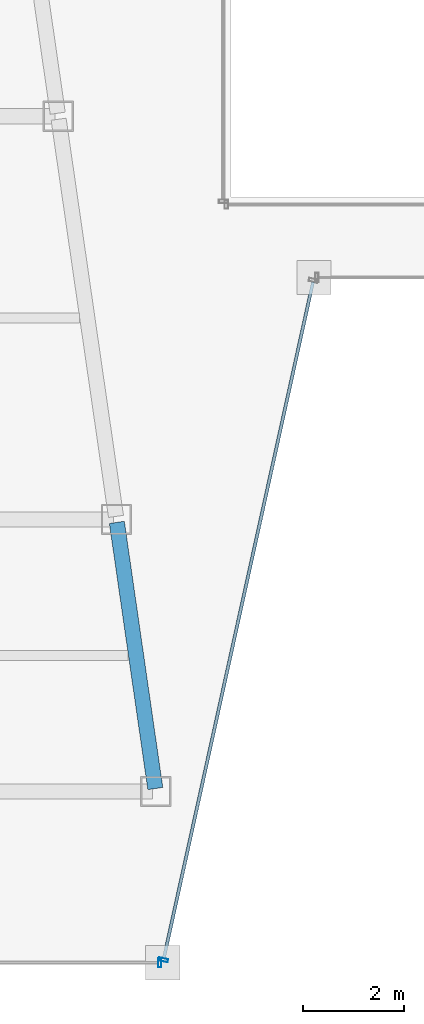
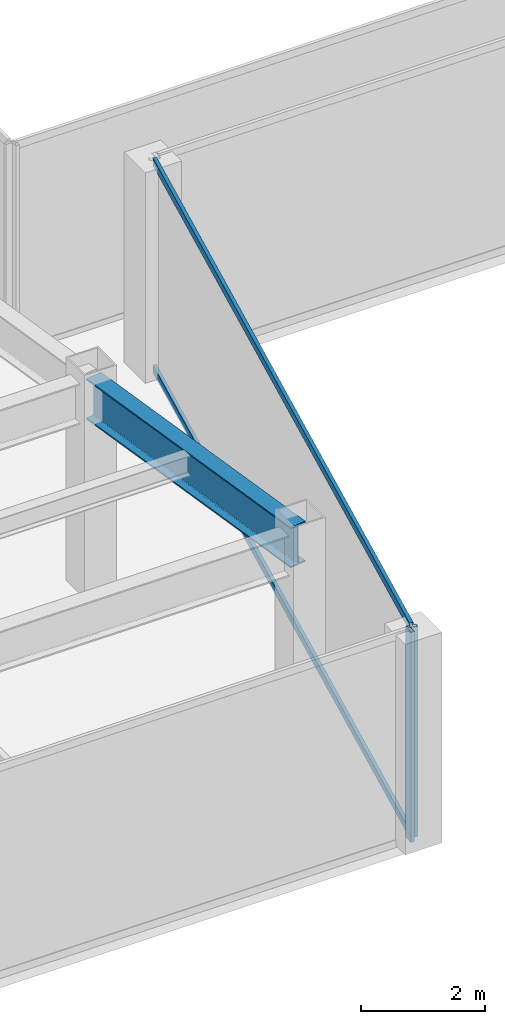
# One storey, part 5 of 37: 4 members, 1 beam, 2 elements without a shape of their own.
"""IFC4 building model written with IfcOpenShell, lengths in metres."""

from ifc_helpers import new_model, si_unit, direction, frame, origin, origin_2d, place, context, subcontext, project, spatial, hollow_rectangle, i_section, extrude, material, material_profile, profile_set, type_object, element, aggregate, save


model = new_model("IFC4")

# Units and contexts
model_context = context("Model", 3, precision=1e-05, world=origin(), true_north=direction((0.0, 1.0)))
body_context = subcontext(model_context, "Body", "Model", "MODEL_VIEW")
ifc_project = project(units=[si_unit("LENGTHUNIT", "METRE"), si_unit("AREAUNIT", "SQUARE_METRE"), si_unit("VOLUMEUNIT", "CUBIC_METRE"), si_unit("PLANEANGLEUNIT", "RADIAN"), si_unit("MASSUNIT", "GRAM", prefix="KILO")], contexts=[model_context])

# Site, building, storey
site_placement = place(None, origin())
site = spatial("IfcSite", under=ifc_project, at=site_placement, CompositionType="ELEMENT")
building_placement = place(site_placement, origin())
building = spatial("IfcBuilding", under=site, at=building_placement, Name="Saevonmaru Cultural Tower", CompositionType="ELEMENT")
storey_placement = place(building_placement, frame((0.0, 0.0, 110.39990234375)))
storey = spatial("IfcBuildingStorey", under=building, at=storey_placement, Name="L23", CompositionType="ELEMENT", Elevation=110.39990234375)

# Beam
ifc_material_1 = material(Name="Steel SM420", Category="steel")
ifc_material_profile_1 = material_profile(ifc_material_1, i_section(OverallWidth=0.300048828125, OverallDepth=0.800048828125, WebThickness=0.013916015625, FlangeThickness=0.02587890625, FilletRadius=0.028076171875, at=origin_2d()), Name="H-800x300x14x26")
ifc_profile_set_1 = profile_set([ifc_material_profile_1], Name="Steel SM420")
beam_type = type_object("IfcBeamType", Name="BM-G-H800", PredefinedType="BEAM", material=ifc_profile_set_1)
beam_placement = place(storey_placement, frame((22.699462890625, 10.659423828125, 3.75), z_axis=(-0.142977693794, 0.989725911087, 0.0), x_axis=(-0.989725911087, -0.142977693794, 0.0)))
element("IfcBeam", 1, at=beam_placement, inside=storey, type_object=beam_type, Name="L23 West Atrium Girder 1", PredefinedType="BEAM", context=body_context, shape_type="SweptSolid", body=[
    extrude(i_section(OverallWidth=0.300048828125, OverallDepth=0.800048828125, WebThickness=0.013916015625, FlangeThickness=0.02587890625, FilletRadius=0.028076171875, at=origin_2d()), origin(), (0.0, 0.0, 1.0), 5.336181640625),
])

# Curtain wall, member
ifc_material_2 = material(Name="Satin Bronze Anodised Aluminium", Category="aluminium")
curtain_wall_type = type_object("IfcCurtainWallType", Name="CW-TYP-A", PredefinedType="NOTDEFINED", material=ifc_material_2)
curtain_wall_1_placement = place(storey_placement, origin())
curtain_wall_1 = element("IfcCurtainWall", 2, at=curtain_wall_1_placement, inside=storey, type_object=curtain_wall_type, Name="L23 Unitised Curtain Wall E2", PredefinedType="NOTDEFINED")
ifc_material_profile_2 = material_profile(ifc_material_2, hollow_rectangle(XDim=0.06494140625, YDim=0.179931640625, WallThickness=0.00390625, at=origin_2d()), Name="ALU-MULL-180x65x4")
ifc_profile_set_2 = profile_set([ifc_material_profile_2], Name="Satin Bronze Anodised Aluminium")
member_type_1 = type_object("IfcMemberType", Name="ML-CW-180x65", PredefinedType="MULLION", material=ifc_profile_set_2)
member_1_placement = place(storey_placement, frame((22.788818359375, 7.199951171875, 0.0), z_axis=(0.0, 0.0, 1.0), x_axis=(1.0, 0.0, 0.0)))
member_1 = element("IfcMember", 3, at=member_1_placement, type_object=member_type_1, Name="CW-TW-L23-E2 mullion 2", PredefinedType="MULLION", context=body_context, shape_type="SweptSolid", body=[
    extrude(hollow_rectangle(XDim=0.06494140625, YDim=0.179931640625, WallThickness=0.00390625, at=origin_2d()), origin(), (0.0, 0.0, 1.0), 4.150146484375),
])
aggregate(curtain_wall_1, [member_1])

# Curtain wall, members
curtain_wall_2_placement = place(storey_placement, origin())
curtain_wall_2 = element("IfcCurtainWall", 4, at=curtain_wall_2_placement, inside=storey, type_object=curtain_wall_type, Name="L23 Unitised Curtain Wall E3", PredefinedType="NOTDEFINED")
member_2_placement = place(storey_placement, frame((22.86181640625, 7.258544921875, 0.0), z_axis=(0.0, 0.0, 1.0), x_axis=(0.215413319953, 0.976522965212, 0.0)))
member_2 = element("IfcMember", 5, at=member_2_placement, type_object=member_type_1, Name="CW-TW-L23-E3 mullion 1", PredefinedType="MULLION", context=body_context, shape_type="SweptSolid", body=[
    extrude(hollow_rectangle(XDim=0.06494140625, YDim=0.179931640625, WallThickness=0.00390625, at=origin_2d()), origin(), (0.0, 0.0, 1.0), 4.150146484375),
])
ifc_material_profile_3 = material_profile(ifc_material_2, hollow_rectangle(XDim=0.06494140625, YDim=0.14990234375, WallThickness=0.00390625, at=origin_2d()), Name="ALU-TRAN-150x65x4")
ifc_profile_set_3 = profile_set([ifc_material_profile_3], Name="Satin Bronze Anodised Aluminium")
member_type_2 = type_object("IfcMemberType", Name="TR-CW-150x65", PredefinedType="USERDEFINED", material=ifc_profile_set_3)
member_3_placement = place(storey_placement, frame((22.868896484375, 7.290283203125, 0.03271484375), z_axis=(0.21541214732, 0.976523223885, 0.0), x_axis=(-0.976523223885, 0.21541214732, 0.0)))
member_3 = element("IfcMember", 6, at=member_3_placement, type_object=member_type_2, Name="CW-TW-L23-E3 transom 1.1", ObjectType="TRANSOM", PredefinedType="USERDEFINED", context=body_context, shape_type="SweptSolid", body=[
    extrude(hollow_rectangle(XDim=0.06494140625, YDim=0.14990234375, WallThickness=0.00390625, at=origin_2d()), origin(), (0.0, 0.0, 1.0), 13.741943359375),
])
member_4_placement = place(storey_placement, frame((22.868896484375, 7.290283203125, 4.11767578125), z_axis=(0.21541214732, 0.976523223885, 0.0), x_axis=(-0.976523223885, 0.21541214732, 0.0)))
member_4 = element("IfcMember", 7, at=member_4_placement, type_object=member_type_2, Name="CW-TW-L23-E3 transom 1.2", ObjectType="TRANSOM", PredefinedType="USERDEFINED", context=body_context, shape_type="SweptSolid", body=[
    extrude(hollow_rectangle(XDim=0.06494140625, YDim=0.14990234375, WallThickness=0.00390625, at=origin_2d()), origin(), (0.0, 0.0, 1.0), 13.741943359375),
])
aggregate(curtain_wall_2, [member_2, member_3, member_4])

save(model, "model.ifc")
